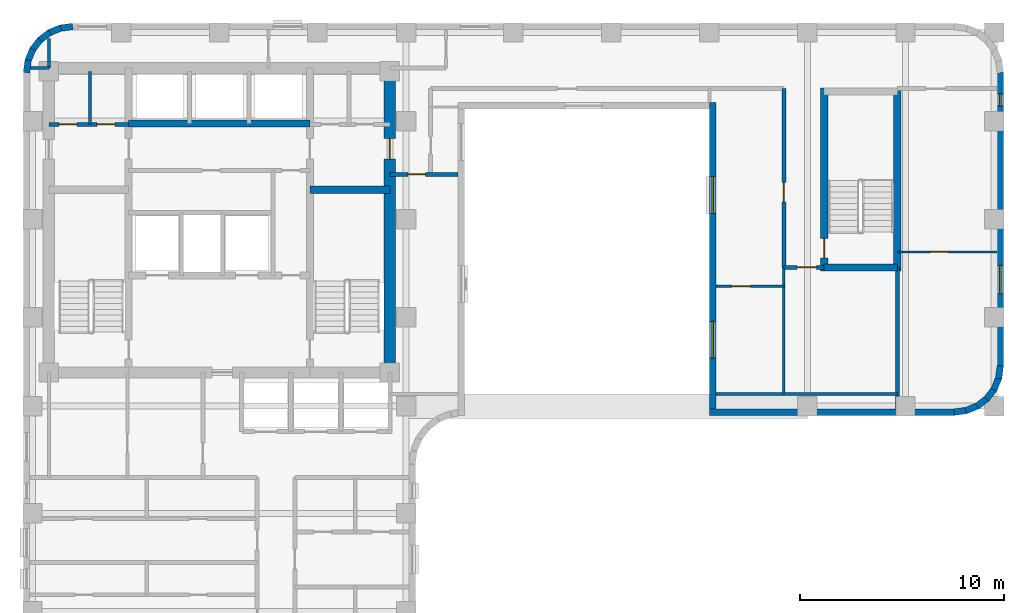
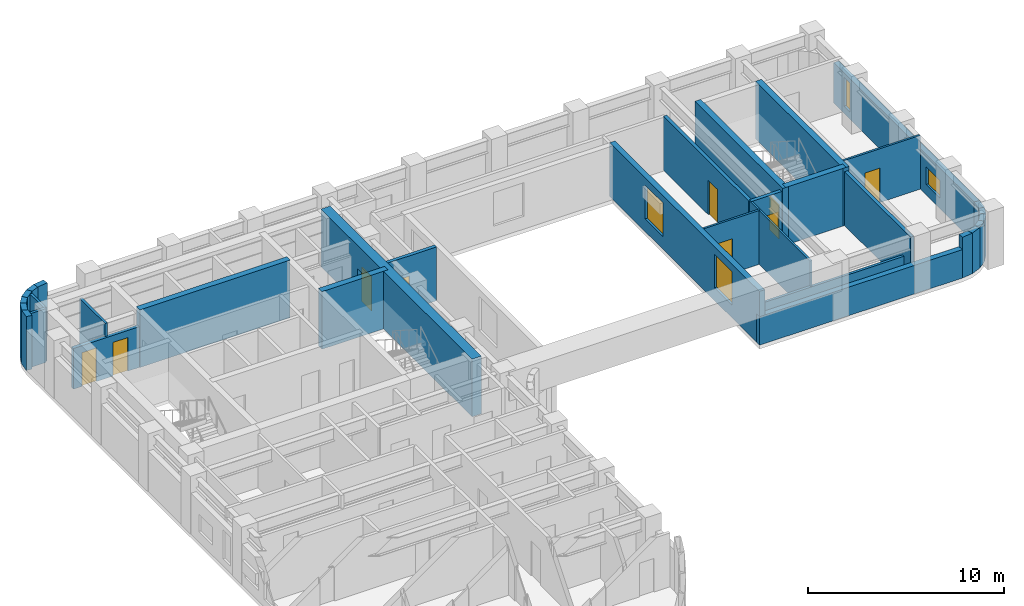
# One storey, part 5 of 8: 33 walls, 9 doors, 4 windows, 13 openings.
"""IFC4 building model written with IfcOpenShell, lengths in metres."""

from ifc_helpers import new_model, si_unit, direction, frame, frame_2d, origin, place, context, subcontext, project, spatial, rectangle, extrude, material, layer, layer_set, type_object, element, fill, save


model = new_model("IFC4")

# Units and contexts
model_context = context("Model", 3, precision=1e-05, world=origin(), true_north=direction((0.0, 1.0)))
body_context = subcontext(model_context, "Body", "Model", "MODEL_VIEW")
ifc_project = project(units=[si_unit("LENGTHUNIT", "METRE"), si_unit("AREAUNIT", "SQUARE_METRE"), si_unit("VOLUMEUNIT", "CUBIC_METRE"), si_unit("PLANEANGLEUNIT", "RADIAN"), si_unit("MASSUNIT", "GRAM", prefix="KILO")], contexts=[model_context])

# Site, building, storey
site_placement = place(None, origin())
site = spatial("IfcSite", under=ifc_project, at=site_placement, CompositionType="ELEMENT")
building_placement = place(site_placement, origin())
building = spatial("IfcBuilding", under=site, at=building_placement, Name="Orvandelia Arch Residences", CompositionType="ELEMENT")
storey_placement = place(building_placement, frame((0.0, 0.0, 107.199951171875)))
storey = spatial("IfcBuildingStorey", under=building, at=storey_placement, Name="L27", CompositionType="ELEMENT", Elevation=107.199951171875)

# Walls
ifc_material_1 = material(Name="Concrete C50/60", Category="concrete")
ifc_layer_1 = layer(ifc_material_1, 0.35009765625, Name="Concrete C50/60", Category="concrete")
ifc_layer_set_1 = layer_set([ifc_layer_1], Name="Concrete C50/60")
wall_type_1 = type_object("IfcWallType", Name="WL-CORE-350", PredefinedType="SHEAR", material=ifc_layer_set_1)
wall_1_placement = place(storey_placement, frame((18.840087890625, 39.85009765625, 0.0), z_axis=(0.0, 0.0, 1.0), x_axis=(1.0, 0.0, 0.0)))
element("IfcWall", 1, at=wall_1_placement, inside=storey, type_object=wall_type_1, Name="Core Shear Wall L27-HZ2", PredefinedType="SHEAR", context=body_context, shape_type="SweptSolid", body=[
    extrude(rectangle(XDim=3.909912109375, YDim=0.35009765625, at=frame_2d((1.955078125, 0.0))), origin(), (0.0, 0.0, 1.0), 3.60009765625),
])
wall_2_placement = place(storey_placement, frame((9.9599609375, 43.10009765625, 0.0), z_axis=(0.0, 0.0, 1.0), x_axis=(1.0, 0.0, 0.0)))
element("IfcWall", 2, at=wall_2_placement, inside=storey, type_object=wall_type_1, Name="Core Shear Wall L27-HZ4", PredefinedType="SHEAR", context=body_context, shape_type="SweptSolid", body=[
    extrude(rectangle(XDim=8.880126953125, YDim=0.35009765625, at=frame_2d((4.43994140625, 0.0))), origin(), (0.0, 0.0, 1.0), 3.60009765625),
])

# Wall, opening, door
wall_3_placement = place(storey_placement, frame((44.02001953125, 35.864990234375, 0.0), z_axis=(0.0, 0.0, 1.0), x_axis=(0.0, 1.0, 0.0)))
wall_3 = element("IfcWall", 3, at=wall_3_placement, inside=storey, type_object=wall_type_1, Name="East Stair Core Shear Wall L27-W", PredefinedType="SHEAR", context=body_context, shape_type="SweptSolid", body=[
    extrude(rectangle(XDim=8.969970703125, YDim=0.35009765625, at=frame_2d((4.48486328125, 0.0))), origin(), (0.0, 0.0, 1.0), 3.60009765625),
])
opening_1_placement = place(wall_3_placement, frame((0.64990234375, 0.0, 0.0)))
opening_1 = element("IfcOpeningElement", 4, at=opening_1_placement, cuts=wall_3, Name="Opening D7", PredefinedType="OPENING", context=body_context, shape_type="SweptSolid", body=[
    extrude(rectangle(XDim=0.949951171875, YDim=2.10009765625, at=frame_2d((0.47509765625, 1.050048828125))), frame((0.0, 0.18505859375, 0.0), z_axis=(0.0, -1.0, 0.0), x_axis=(1.0, 0.0, 0.0)), (0.0, 0.0, 1.0), 0.3701171875),
])
ifc_material_2 = material(Name="Pressurised Stairwell Fire Door")
door_type_1 = type_object("IfcDoorType", Name="DR-STAIR-950", OperationType="NOTDEFINED", PredefinedType="DOOR", material=ifc_material_2)
door_1_placement = place(opening_1_placement, origin())
door_1 = element("IfcDoor", 5, at=door_1_placement, inside=storey, type_object=door_type_1, Name="East Stairwell ST-3 Fire Door L27", OperationType="SINGLE_SWING_LEFT", OverallHeight=2.10009765625, OverallWidth=0.949951171875, PredefinedType="DOOR", context=body_context, shape_type="SweptSolid", body=[
    extrude(rectangle(XDim=0.949951171875, YDim=2.10009765625, at=frame_2d((0.47509765625, 1.050048828125))), frame((0.0, 0.02490234375, 0.0), z_axis=(0.0, -1.0, 0.0), x_axis=(1.0, 0.0, 0.0)), (0.0, 0.0, 1.0), 0.050048828125),
])
fill(opening_1, door_1)

# Walls
wall_4_placement = place(storey_placement, frame((47.60009765625, 35.864990234375, 0.0), z_axis=(0.0, 0.0, 1.0), x_axis=(0.0, 1.0, 0.0)))
element("IfcWall", 6, at=wall_4_placement, inside=storey, type_object=wall_type_1, Name="East Stair Core Shear Wall L27-E", PredefinedType="SHEAR", context=body_context, shape_type="SweptSolid", body=[
    extrude(rectangle(XDim=8.969970703125, YDim=0.35009765625, at=frame_2d((4.48486328125, 0.0))), origin(), (0.0, 0.0, 1.0), 3.60009765625),
])
wall_5_placement = place(storey_placement, frame((44.02001953125, 36.0400390625, 0.0), z_axis=(0.0, 0.0, 1.0), x_axis=(1.0, 0.0, 0.0)))
element("IfcWall", 7, at=wall_5_placement, inside=storey, type_object=wall_type_1, Name="East Stair Core Shear Wall L27-S", PredefinedType="SHEAR", context=body_context, shape_type="SweptSolid", body=[
    extrude(rectangle(XDim=3.580078125, YDim=0.35009765625, at=frame_2d((1.7900390625, 0.0))), origin(), (0.0, 0.0, 1.0), 3.60009765625),
])

# Wall, opening, door
ifc_material_3 = material(Name="Concrete C60/75", Category="concrete")
ifc_layer_2 = layer(ifc_material_3, 0.550048828125, Name="Concrete C60/75", Category="concrete")
ifc_layer_set_2 = layer_set([ifc_layer_2], Name="Concrete C60/75")
wall_type_2 = type_object("IfcWallType", Name="WL-CORE-550", PredefinedType="SHEAR", material=ifc_layer_set_2)
wall_6_placement = place(storey_placement, frame((22.75, 30.625, 0.0), z_axis=(0.0, 0.0, 1.0), x_axis=(0.0, 1.0, 0.0)))
wall_6 = element("IfcWall", 8, at=wall_6_placement, inside=storey, type_object=wall_type_2, Name="Core Shear Wall L27-E", PredefinedType="SHEAR", context=body_context, shape_type="SweptSolid", body=[
    extrude(rectangle(XDim=15.449951171875, YDim=0.550048828125, at=frame_2d((7.72509765625, 0.0))), origin(), (0.0, 0.0, 1.0), 3.60009765625),
])
opening_2_placement = place(wall_6_placement, frame((10.72509765625, 0.0, 0.0)))
opening_2 = element("IfcOpeningElement", 9, at=opening_2_placement, cuts=wall_6, Name="Opening D6", PredefinedType="OPENING", context=body_context, shape_type="SweptSolid", body=[
    extrude(rectangle(XDim=1.0, YDim=2.14990234375, at=frame_2d((0.5, 1.074951171875))), frame((0.0, 0.28515625, 0.0), z_axis=(0.0, -1.0, 0.0), x_axis=(1.0, 0.0, 0.0)), (0.0, 0.0, 1.0), 0.570068359375),
])
ifc_material_4 = material(Name="Smokeproof Painted Steel Fire Door", Category="steel")
door_type_2 = type_object("IfcDoorType", Name="DR-FD60-1000", OperationType="NOTDEFINED", PredefinedType="DOOR", material=ifc_material_4)
door_2_placement = place(opening_2_placement, origin())
door_2 = element("IfcDoor", 10, at=door_2_placement, inside=storey, type_object=door_type_2, Name="Core East Corridor Link Door L27", OperationType="SINGLE_SWING_LEFT", OverallHeight=2.14990234375, OverallWidth=1.0, PredefinedType="DOOR", context=body_context, shape_type="SweptSolid", body=[
    extrude(rectangle(XDim=1.0, YDim=2.14990234375, at=frame_2d((0.5, 1.074951171875))), frame((0.0, 0.02490234375, 0.0), z_axis=(0.0, -1.0, 0.0), x_axis=(1.0, 0.0, 0.0)), (0.0, 0.0, 1.0), 0.050048828125),
])
fill(opening_2, door_2)

ifc_material_5 = material(Name="Fire-Rated Corridor Partition")
ifc_layer_3 = layer(ifc_material_5, 0.199951171875, Name="Fire-Rated Corridor Partition")
ifc_layer_set_3 = layer_set([ifc_layer_3], Name="Fire-Rated Corridor Partition")
wall_type_3 = type_object("IfcWallType", Name="WL-CORR-200", PredefinedType="PARTITIONING", material=ifc_layer_set_3)
wall_7_placement = place(storey_placement, frame((22.75, 40.60009765625, 0.0), z_axis=(0.0, 0.0, 1.0), x_axis=(1.0, 0.0, 0.0)))
wall_7 = element("IfcWall", 11, at=wall_7_placement, inside=storey, type_object=wall_type_3, Name="Interior Partition Wall WL-L27-ENP-LS", PredefinedType="PARTITIONING", context=body_context, shape_type="SweptSolid", body=[
    extrude(rectangle(XDim=3.330078125, YDim=0.199951171875, at=frame_2d((1.6650390625, 0.0))), origin(), (0.0, 0.0, 1.0), 3.360107421875),
])
opening_3_placement = place(wall_7_placement, frame((0.8798828125, 0.0, 0.0)))
opening_3 = element("IfcOpeningElement", 12, at=opening_3_placement, cuts=wall_7, Name="Opening D4", PredefinedType="OPENING", context=body_context, shape_type="SweptSolid", body=[
    extrude(rectangle(XDim=0.860107421875, YDim=2.10009765625, at=frame_2d((0.43017578125, 1.050048828125))), frame((0.0, 0.10986328125, 0.0), z_axis=(0.0, -1.0, 0.0), x_axis=(1.0, 0.0, 0.0)), (0.0, 0.0, 1.0), 0.219970703125),
])
ifc_material_6 = material(Name="Moisture-Sealed Timber Bathroom Door", Category="wood")
door_type_3 = type_object("IfcDoorType", Name="DR-WET-900", OperationType="NOTDEFINED", PredefinedType="DOOR", material=ifc_material_6)
door_3_placement = place(opening_3_placement, origin())
door_3 = element("IfcDoor", 13, at=door_3_placement, inside=storey, type_object=door_type_3, Name="DR-L27-VPWL", OperationType="SINGLE_SWING_RIGHT", OverallHeight=2.10009765625, OverallWidth=0.860107421875, PredefinedType="DOOR", context=body_context, shape_type="SweptSolid", body=[
    extrude(rectangle(XDim=0.860107421875, YDim=2.10009765625, at=frame_2d((0.43017578125, 1.050048828125))), frame((0.0, 0.02490234375, 0.0), z_axis=(0.0, -1.0, 0.0), x_axis=(1.0, 0.0, 0.0)), (0.0, 0.0, 1.0), 0.050048828125),
])
fill(opening_3, door_3)

wall_8_placement = place(storey_placement, frame((42.050048828125, 36.050048828125, 0.0), z_axis=(0.0, 0.0, 1.0), x_axis=(0.0, 1.0, 0.0)))
wall_8 = element("IfcWall", 14, at=wall_8_placement, inside=storey, type_object=wall_type_3, Name="Interior Partition Wall WL-L27-ENP-SW", PredefinedType="PARTITIONING", context=body_context, shape_type="SweptSolid", body=[
    extrude(rectangle(XDim=8.75, YDim=0.199951171875, at=frame_2d((4.375, 0.0))), origin(), (0.0, 0.0, 1.0), 3.360107421875),
])
opening_4_placement = place(wall_8_placement, frame((3.199951171875, 0.0, 0.0)))
opening_4 = element("IfcOpeningElement", 15, at=opening_4_placement, cuts=wall_8, Name="Opening D2", PredefinedType="OPENING", context=body_context, shape_type="SweptSolid", body=[
    extrude(rectangle(XDim=0.949951171875, YDim=2.14990234375, at=frame_2d((0.47509765625, 1.074951171875))), frame((0.0, 0.10986328125, 0.0), z_axis=(0.0, -1.0, 0.0), x_axis=(1.0, 0.0, 0.0)), (0.0, 0.0, 1.0), 0.219970703125),
])
ifc_material_7 = material(Name="Solid-Core Timber Interior Fire Door", Category="wood")
door_type_4 = type_object("IfcDoorType", Name="DR-APT-950", OperationType="NOTDEFINED", PredefinedType="DOOR", material=ifc_material_7)
door_4_placement = place(opening_4_placement, origin())
door_4 = element("IfcDoor", 16, at=door_4_placement, inside=storey, type_object=door_type_4, Name="DR-L27-VPE1", OperationType="SINGLE_SWING_RIGHT", OverallHeight=2.14990234375, OverallWidth=0.949951171875, PredefinedType="DOOR", context=body_context, shape_type="SweptSolid", body=[
    extrude(rectangle(XDim=0.949951171875, YDim=2.14990234375, at=frame_2d((0.47509765625, 1.074951171875))), frame((0.0, 0.02490234375, 0.0), z_axis=(0.0, -1.0, 0.0), x_axis=(1.0, 0.0, 0.0)), (0.0, 0.0, 1.0), 0.050048828125),
])
fill(opening_4, door_4)

wall_9_placement = place(storey_placement, frame((42.050048828125, 36.050048828125, 0.0), z_axis=(0.0, 0.0, 1.0), x_axis=(1.0, 0.0, 0.0)))
wall_9 = element("IfcWall", 17, at=wall_9_placement, inside=storey, type_object=wall_type_3, Name="Interior Partition Wall WL-L27-ENP-SS", PredefinedType="PARTITIONING", context=body_context, shape_type="SweptSolid", body=[
    extrude(rectangle(XDim=1.969970703125, YDim=0.199951171875, at=frame_2d((0.98486328125, 0.0))), origin(), (0.0, 0.0, 1.0), 3.360107421875),
])
opening_5_placement = place(wall_9_placement, frame((0.64990234375, 0.0, 0.0)))
opening_5 = element("IfcOpeningElement", 18, at=opening_5_placement, cuts=wall_9, Name="Opening D2", PredefinedType="OPENING", context=body_context, shape_type="SweptSolid", body=[
    extrude(rectangle(XDim=0.949951171875, YDim=2.14990234375, at=frame_2d((0.47509765625, 1.074951171875))), frame((0.0, 0.10986328125, 0.0), z_axis=(0.0, -1.0, 0.0), x_axis=(1.0, 0.0, 0.0)), (0.0, 0.0, 1.0), 0.219970703125),
])
door_5_placement = place(opening_5_placement, origin())
door_5 = element("IfcDoor", 19, at=door_5_placement, inside=storey, type_object=door_type_4, Name="DR-L27-VPS3", OperationType="SINGLE_SWING_LEFT", OverallHeight=2.14990234375, OverallWidth=0.949951171875, PredefinedType="DOOR", context=body_context, shape_type="SweptSolid", body=[
    extrude(rectangle(XDim=0.949951171875, YDim=2.14990234375, at=frame_2d((0.47509765625, 1.074951171875))), frame((0.0, 0.02490234375, 0.0), z_axis=(0.0, -1.0, 0.0), x_axis=(1.0, 0.0, 0.0)), (0.0, 0.0, 1.0), 0.050048828125),
])
fill(opening_5, door_5)

# Walls
ifc_material_8 = material(Name="Concrete C40/50", Category="concrete")
ifc_layer_4 = layer(ifc_material_8, 0.199951171875, Name="Concrete C40/50", Category="concrete")
ifc_layer_set_4 = layer_set([ifc_layer_4], Name="Concrete C40/50")
wall_type_4 = type_object("IfcWallType", Name="WL-DEM-200", PredefinedType="SOLIDWALL", material=ifc_layer_set_4)
wall_10_placement = place(storey_placement, frame((47.60009765625, 29.1201171875, 0.0), z_axis=(0.0, 0.0, 1.0), x_axis=(0.0, 1.0, 0.0)))
element("IfcWall", 20, at=wall_10_placement, inside=storey, type_object=wall_type_4, Name="Interior Partition Wall WL-L27-VPS3-E", PredefinedType="SOLIDWALL", context=body_context, shape_type="SweptSolid", body=[
    extrude(rectangle(XDim=6.919921875, YDim=0.199951171875, at=frame_2d((3.4599609375, 0.0))), origin(), (0.0, 0.0, 1.0), 3.360107421875),
])
ifc_material_9 = material(Name="Precast concrete C40/50", Category="concrete")
ifc_layer_5 = layer(ifc_material_9, 0.320068359375, Name="Precast concrete C40/50", Category="concrete")
ifc_layer_set_5 = layer_set([ifc_layer_5], Name="Precast concrete C40/50")
wall_type_5 = type_object("IfcWallType", Name="WL-EXT-STONE-320", PredefinedType="STANDARD", material=ifc_layer_set_5)
for number, where, z_axis, x_axis, name in (
    (21, (4.95849609375, 45.5791015625, 0.0), (0.0, 0.0, 1.0), (0.130555323746, 0.9914410257, 0.0), "Coral-Limestone Precast Facade Wall L27-001"),
    (22, (5.029541015625, 46.159912109375, 0.0), (0.0, 0.0, 1.0), (0.382650053678, 0.92389335771, 0.0), "Coral-Limestone Precast Facade Wall L27-002"),
):
    element("IfcWall", number, at=place(storey_placement, frame(where, z_axis=z_axis, x_axis=x_axis)), inside=storey, type_object=wall_type_5, Name=name, PredefinedType="STANDARD", context=body_context, shape_type="SweptSolid", body=[
        extrude(rectangle(XDim=0.62646484375, YDim=0.320068359375, at=frame_2d((0.313232421875, 0.0))), origin(), (0.0, 0.0, 1.0), 3.360107421875),
    ])
wall_11_placement = place(storey_placement, frame((5.248291015625, 46.70263671875, 0.0), z_axis=(0.0, 0.0, 1.0), x_axis=(0.608938521285, 0.7932174212, 0.0)))
element("IfcWall", 23, at=wall_11_placement, inside=storey, type_object=wall_type_5, Name="Coral-Limestone Precast Facade Wall L27-003", PredefinedType="STANDARD", context=body_context, shape_type="SweptSolid", body=[
    extrude(rectangle(XDim=0.626708984375, YDim=0.320068359375, at=frame_2d((0.3134765625, 0.0))), origin(), (0.0, 0.0, 1.0), 3.360107421875),
])
wall_12_placement = place(storey_placement, frame((5.600341796875, 47.170166015625, 0.0), z_axis=(0.0, 0.0, 1.0), x_axis=(0.793405610854, 0.608693302629, 0.0)))
element("IfcWall", 24, at=wall_12_placement, inside=storey, type_object=wall_type_5, Name="Coral-Limestone Precast Facade Wall L27-004", PredefinedType="STANDARD", context=body_context, shape_type="SweptSolid", body=[
    extrude(rectangle(XDim=0.62646484375, YDim=0.320068359375, at=frame_2d((0.313232421875, 0.0))), origin(), (0.0, 0.0, 1.0), 3.360107421875),
])
wall_13_placement = place(storey_placement, frame((6.061279296875, 47.53076171875, 0.0), z_axis=(0.0, 0.0, 1.0), x_axis=(0.923836271867, 0.382787856107, 0.0)))
element("IfcWall", 25, at=wall_13_placement, inside=storey, type_object=wall_type_5, Name="Coral-Limestone Precast Facade Wall L27-005", PredefinedType="STANDARD", context=body_context, shape_type="SweptSolid", body=[
    extrude(rectangle(XDim=0.626220703125, YDim=0.320068359375, at=frame_2d((0.31298828125, 0.0))), origin(), (0.0, 0.0, 1.0), 3.360107421875),
])
wall_14_placement = place(storey_placement, frame((6.599609375, 47.759521484375, 0.0), z_axis=(0.0, 0.0, 1.0), x_axis=(0.991447664465, 0.130504898859, 0.0)))
element("IfcWall", 26, at=wall_14_placement, inside=storey, type_object=wall_type_5, Name="Coral-Limestone Precast Facade Wall L27-006", PredefinedType="STANDARD", context=body_context, shape_type="SweptSolid", body=[
    extrude(rectangle(XDim=0.626708984375, YDim=0.320068359375, at=frame_2d((0.3134765625, 0.0))), origin(), (0.0, 0.0, 1.0), 3.360107421875),
])

# Wall, openings, windows
wall_15_placement = place(storey_placement, frame((52.639892578125, 45.60009765625, 0.0), z_axis=(0.0, 0.0, 1.0), x_axis=(0.0, -1.0, 0.0)))
wall_15 = element("IfcWall", 27, at=wall_15_placement, inside=storey, type_object=wall_type_5, Name="Coral-Limestone Precast Facade Wall L27-014", PredefinedType="STANDARD", context=body_context, shape_type="SweptSolid", body=[
    extrude(rectangle(XDim=14.400146484375, YDim=0.320068359375, at=frame_2d((7.2001953125, 0.0))), origin(), (0.0, 0.0, 1.0), 2.5400390625),
])
opening_6_placement = place(wall_15_placement, frame((1.0625, 0.0, 0.449951171875)))
opening_6 = element("IfcOpeningElement", 28, at=opening_6_placement, cuts=wall_15, Name="Opening W12", PredefinedType="OPENING", context=body_context, shape_type="SweptSolid", body=[
    extrude(rectangle(XDim=0.60009765625, YDim=1.800048828125, at=frame_2d((0.300048828125, 0.89990234375))), frame((0.0, 0.169921875, 0.0), z_axis=(0.0, -1.0, 0.0), x_axis=(1.0, 0.0, 0.0)), (0.0, 0.0, 1.0), 0.340087890625),
])
opening_7_placement = place(wall_15_placement, frame((9.452392578125, 0.0, 0.64990234375)))
opening_7 = element("IfcOpeningElement", 29, at=opening_7_placement, cuts=wall_15, Name="Opening W10", PredefinedType="OPENING", context=body_context, shape_type="SweptSolid", body=[
    extrude(rectangle(XDim=1.39990234375, YDim=1.10009765625, at=frame_2d((0.699951171875, 0.550048828125))), frame((0.0, 0.169921875, 0.0), z_axis=(0.0, -1.0, 0.0), x_axis=(1.0, 0.0, 0.0)), (0.0, 0.0, 1.0), 0.340087890625),
])
ifc_material_10 = material(Name="Tempered Low-E Insulated Glazing", Category="glass")
window_type_1 = type_object("IfcWindowType", Name="WIN-CLR-1400x1100", PartitioningType="SINGLE_PANEL", PredefinedType="WINDOW", material=ifc_material_10)
window_1_placement = place(opening_7_placement, origin())
window_1 = element("IfcWindow", 30, at=window_1_placement, inside=storey, type_object=window_type_1, Name="Recessed Punched Window L27-005", OverallHeight=1.10009765625, OverallWidth=1.39990234375, PartitioningType="SINGLE_PANEL", PredefinedType="WINDOW", context=body_context, shape_type="SweptSolid", body=[
    extrude(rectangle(XDim=1.39990234375, YDim=1.10009765625, at=frame_2d((0.699951171875, 0.550048828125))), frame((0.0, 0.030029296875, 0.0), z_axis=(0.0, -1.0, 0.0), x_axis=(1.0, 0.0, 0.0)), (0.0, 0.0, 1.0), 0.06005859375),
])
fill(opening_7, window_1)
window_type_2 = type_object("IfcWindowType", Name="WIN-LAN-0600x1800", PartitioningType="SINGLE_PANEL", PredefinedType="WINDOW", material=ifc_material_10)
window_2_placement = place(opening_6_placement, origin())
window_2 = element("IfcWindow", 31, at=window_2_placement, inside=storey, type_object=window_type_2, Name="Recessed Punched Window L27-004", OverallHeight=1.800048828125, OverallWidth=0.60009765625, PartitioningType="SINGLE_PANEL", PredefinedType="WINDOW", context=body_context, shape_type="SweptSolid", body=[
    extrude(rectangle(XDim=0.60009765625, YDim=1.800048828125, at=frame_2d((0.300048828125, 0.89990234375))), frame((0.0, 0.030029296875, 0.0), z_axis=(0.0, -1.0, 0.0), x_axis=(1.0, 0.0, 0.0)), (0.0, 0.0, 1.0), 0.06005859375),
])
fill(opening_6, window_2)

# Walls
wall_16_placement = place(storey_placement, frame((52.641357421875, 31.220947265625, 0.0), z_axis=(0.0, 0.0, 1.0), x_axis=(-0.130504898859, -0.991447664465, 0.0)))
element("IfcWall", 32, at=wall_16_placement, inside=storey, type_object=wall_type_5, Name="Coral-Limestone Precast Facade Wall L27-015", PredefinedType="STANDARD", context=body_context, shape_type="SweptSolid", body=[
    extrude(rectangle(XDim=0.626708984375, YDim=0.320068359375, at=frame_2d((0.3134765625, 0.0))), origin(), (0.0, 0.0, 1.0), 2.5400390625),
])
wall_17_placement = place(storey_placement, frame((52.5703125, 30.639892578125, 0.0), z_axis=(0.0, 0.0, 1.0), x_axis=(-0.382455093999, -0.923974080304, 0.0)))
element("IfcWall", 33, at=wall_17_placement, inside=storey, type_object=wall_type_5, Name="Coral-Limestone Precast Facade Wall L27-016", PredefinedType="STANDARD", context=body_context, shape_type="SweptSolid", body=[
    extrude(rectangle(XDim=0.626220703125, YDim=0.320068359375, at=frame_2d((0.31298828125, 0.0))), origin(), (0.0, 0.0, 1.0), 2.5400390625),
])
wall_18_placement = place(storey_placement, frame((52.3515625, 30.097412109375, 0.0), z_axis=(0.0, 0.0, 1.0), x_axis=(-0.608693302629, -0.793405610854, 0.0)))
element("IfcWall", 34, at=wall_18_placement, inside=storey, type_object=wall_type_5, Name="Coral-Limestone Precast Facade Wall L27-017", PredefinedType="STANDARD", context=body_context, shape_type="SweptSolid", body=[
    extrude(rectangle(XDim=0.62646484375, YDim=0.320068359375, at=frame_2d((0.313232421875, 0.0))), origin(), (0.0, 0.0, 1.0), 2.5400390625),
])
wall_19_placement = place(storey_placement, frame((51.999755859375, 29.6298828125, 0.0), z_axis=(0.0, 0.0, 1.0), x_axis=(-0.7932174212, -0.608938521285, 0.0)))
element("IfcWall", 35, at=wall_19_placement, inside=storey, type_object=wall_type_5, Name="Coral-Limestone Precast Facade Wall L27-018", PredefinedType="STANDARD", context=body_context, shape_type="SweptSolid", body=[
    extrude(rectangle(XDim=0.626708984375, YDim=0.320068359375, at=frame_2d((0.3134765625, 0.0))), origin(), (0.0, 0.0, 1.0), 2.5400390625),
])
for number, where, z_axis, x_axis, name in (
    (36, (51.538818359375, 29.269287109375, 0.0), (0.0, 0.0, 1.0), (-0.92389335771, -0.382650053678, 0.0), "Coral-Limestone Precast Facade Wall L27-019"),
    (37, (51.000244140625, 29.040283203125, 0.0), (0.0, 0.0, 1.0), (-0.9914410257, -0.130555323746, 0.0), "Coral-Limestone Precast Facade Wall L27-020"),
):
    element("IfcWall", number, at=place(storey_placement, frame(where, z_axis=z_axis, x_axis=x_axis)), inside=storey, type_object=wall_type_5, Name=name, PredefinedType="STANDARD", context=body_context, shape_type="SweptSolid", body=[
        extrude(rectangle(XDim=0.62646484375, YDim=0.320068359375, at=frame_2d((0.313232421875, 0.0))), origin(), (0.0, 0.0, 1.0), 2.5400390625),
    ])
wall_20_placement = place(storey_placement, frame((50.39990234375, 28.9599609375, 0.0), z_axis=(0.0, 0.0, 1.0), x_axis=(-1.0, 0.0, 0.0)))
element("IfcWall", 38, at=wall_20_placement, inside=storey, type_object=wall_type_5, Name="Coral-Limestone Precast Facade Wall L27-021", PredefinedType="STANDARD", context=body_context, shape_type="SweptSolid", body=[
    extrude(rectangle(XDim=12.0, YDim=0.320068359375, at=frame_2d((6.0, 0.0))), origin(), (0.0, 0.0, 1.0), 1.780029296875),
])

# Wall, openings, windows
wall_21_placement = place(storey_placement, frame((38.56005859375, 28.800048828125, 0.0), z_axis=(0.0, 0.0, 1.0), x_axis=(0.0, 1.0, 0.0)))
wall_21 = element("IfcWall", 39, at=wall_21_placement, inside=storey, type_object=wall_type_5, Name="Coral-Limestone Precast Facade Wall L27-022", PredefinedType="STANDARD", context=body_context, shape_type="SweptSolid", body=[
    extrude(rectangle(XDim=15.320068359375, YDim=0.320068359375, at=frame_2d((7.66015625, 0.0))), origin(), (0.0, 0.0, 1.0), 3.360107421875),
])
opening_8_placement = place(wall_21_placement, frame((9.889892578125, 0.0, 0.800048828125)))
opening_8 = element("IfcOpeningElement", 40, at=opening_8_placement, cuts=wall_21, Name="Opening W1", PredefinedType="OPENING", context=body_context, shape_type="SweptSolid", body=[
    extrude(rectangle(XDim=1.800048828125, YDim=2.10009765625, at=frame_2d((0.89990234375, 1.050048828125))), frame((0.0, 0.169921875, 0.0), z_axis=(0.0, -1.0, 0.0), x_axis=(1.0, 0.0, 0.0)), (0.0, 0.0, 1.0), 0.340087890625),
])
opening_9_placement = place(wall_21_placement, frame((2.804931640625, 0.0, 0.800048828125)))
opening_9 = element("IfcOpeningElement", 41, at=opening_9_placement, cuts=wall_21, Name="Opening W1", PredefinedType="OPENING", context=body_context, shape_type="SweptSolid", body=[
    extrude(rectangle(XDim=1.800048828125, YDim=2.10009765625, at=frame_2d((0.89990234375, 1.050048828125))), frame((0.0, 0.169921875, 0.0), z_axis=(0.0, -1.0, 0.0), x_axis=(1.0, 0.0, 0.0)), (0.0, 0.0, 1.0), 0.340087890625),
])
window_type_3 = type_object("IfcWindowType", Name="WIN-RES-1800x2100", PartitioningType="SINGLE_PANEL", PredefinedType="WINDOW", material=ifc_material_10)
window_3_placement = place(opening_8_placement, origin())
window_3 = element("IfcWindow", 42, at=window_3_placement, inside=storey, type_object=window_type_3, Name="Recessed Punched Window L27-006", OverallHeight=2.10009765625, OverallWidth=1.800048828125, PartitioningType="SINGLE_PANEL", PredefinedType="WINDOW", context=body_context, shape_type="SweptSolid", body=[
    extrude(rectangle(XDim=1.800048828125, YDim=2.10009765625, at=frame_2d((0.89990234375, 1.050048828125))), frame((0.0, 0.030029296875, 0.0), z_axis=(0.0, -1.0, 0.0), x_axis=(1.0, 0.0, 0.0)), (0.0, 0.0, 1.0), 0.06005859375),
])
fill(opening_8, window_3)
window_4_placement = place(opening_9_placement, origin())
window_4 = element("IfcWindow", 43, at=window_4_placement, inside=storey, type_object=window_type_3, Name="Recessed Punched Window L27-007", OverallHeight=2.10009765625, OverallWidth=1.800048828125, PartitioningType="SINGLE_PANEL", PredefinedType="WINDOW", context=body_context, shape_type="SweptSolid", body=[
    extrude(rectangle(XDim=1.800048828125, YDim=2.10009765625, at=frame_2d((0.89990234375, 1.050048828125))), frame((0.0, 0.030029296875, 0.0), z_axis=(0.0, -1.0, 0.0), x_axis=(1.0, 0.0, 0.0)), (0.0, 0.0, 1.0), 0.06005859375),
])
fill(opening_9, window_4)

# Wall, opening, door
ifc_material_11 = material(Name="Lightweight Gypsum Stud Partition")
ifc_layer_6 = layer(ifc_material_11, 0.1201171875, Name="Lightweight Gypsum Stud Partition")
ifc_layer_set_6 = layer_set([ifc_layer_6], Name="Lightweight Gypsum Stud Partition")
wall_type_6 = type_object("IfcWallType", Name="WL-PART-120", PredefinedType="PARTITIONING", material=ifc_layer_set_6)
wall_22_placement = place(storey_placement, frame((38.719970703125, 35.1201171875, 0.0), z_axis=(0.0, 0.0, 1.0), x_axis=(1.0, 0.0, 0.0)))
wall_22 = element("IfcWall", 44, at=wall_22_placement, inside=storey, type_object=wall_type_6, Name="Interior Partition Wall WL-L27-VPE-M", PredefinedType="PARTITIONING", context=body_context, shape_type="SweptSolid", body=[
    extrude(rectangle(XDim=3.330078125, YDim=0.1201171875, at=frame_2d((1.6650390625, 0.0))), origin(), (0.0, 0.0, 1.0), 3.360107421875),
])
opening_10_placement = place(wall_22_placement, frame((0.7900390625, 0.0, 0.0)))
opening_10 = element("IfcOpeningElement", 45, at=opening_10_placement, cuts=wall_22, Name="Opening D3", PredefinedType="OPENING", context=body_context, shape_type="SweptSolid", body=[
    extrude(rectangle(XDim=0.89990234375, YDim=2.14990234375, at=frame_2d((0.449951171875, 1.074951171875))), frame((0.0, 0.070068359375, 0.0), z_axis=(0.0, -1.0, 0.0), x_axis=(1.0, 0.0, 0.0)), (0.0, 0.0, 1.0), 0.14013671875),
])
ifc_material_12 = material(Name="Engineered Timber Flush Door", Category="wood")
door_type_5 = type_object("IfcDoorType", Name="DR-INT-900", OperationType="NOTDEFINED", PredefinedType="DOOR", material=ifc_material_12)
door_6_placement = place(opening_10_placement, origin())
door_6 = element("IfcDoor", 46, at=door_6_placement, inside=storey, type_object=door_type_5, Name="DR-L27-VPE2", OperationType="SINGLE_SWING_RIGHT", OverallHeight=2.14990234375, OverallWidth=0.89990234375, PredefinedType="DOOR", context=body_context, shape_type="SweptSolid", body=[
    extrude(rectangle(XDim=0.89990234375, YDim=2.14990234375, at=frame_2d((0.449951171875, 1.074951171875))), frame((0.0, 0.02490234375, 0.0), z_axis=(0.0, -1.0, 0.0), x_axis=(1.0, 0.0, 0.0)), (0.0, 0.0, 1.0), 0.050048828125),
])
fill(opening_10, door_6)

# Wall
wall_23_placement = place(storey_placement, frame((42.050048828125, 29.85009765625, 0.0), z_axis=(0.0, 0.0, 1.0), x_axis=(0.0, 1.0, 0.0)))
element("IfcWall", 47, at=wall_23_placement, inside=storey, type_object=wall_type_6, Name="Interior Partition Wall WL-L27-VPS3-W", PredefinedType="PARTITIONING", context=body_context, shape_type="SweptSolid", body=[
    extrude(rectangle(XDim=6.199951171875, YDim=0.1201171875, at=frame_2d((3.10009765625, 0.0))), origin(), (0.0, 0.0, 1.0), 3.360107421875),
])

# Wall, opening, door
wall_24_placement = place(storey_placement, frame((47.60009765625, 36.800048828125, 0.0), z_axis=(0.0, 0.0, 1.0), x_axis=(1.0, 0.0, 0.0)))
wall_24 = element("IfcWall", 48, at=wall_24_placement, inside=storey, type_object=wall_type_6, Name="Interior Partition Wall WL-L27-VPET-M", PredefinedType="PARTITIONING", context=body_context, shape_type="SweptSolid", body=[
    extrude(rectangle(XDim=4.8798828125, YDim=0.1201171875, at=frame_2d((2.43994140625, 0.0))), origin(), (0.0, 0.0, 1.0), 3.360107421875),
])
opening_11_placement = place(wall_24_placement, frame((1.60009765625, 0.0, 0.0)))
opening_11 = element("IfcOpeningElement", 49, at=opening_11_placement, cuts=wall_24, Name="Opening D3", PredefinedType="OPENING", context=body_context, shape_type="SweptSolid", body=[
    extrude(rectangle(XDim=0.89990234375, YDim=2.14990234375, at=frame_2d((0.449951171875, 1.074951171875))), frame((0.0, 0.070068359375, 0.0), z_axis=(0.0, -1.0, 0.0), x_axis=(1.0, 0.0, 0.0)), (0.0, 0.0, 1.0), 0.14013671875),
])
door_7_placement = place(opening_11_placement, origin())
door_7 = element("IfcDoor", 50, at=door_7_placement, inside=storey, type_object=door_type_5, Name="DR-L27-VPET2", OperationType="SINGLE_SWING_RIGHT", OverallHeight=2.14990234375, OverallWidth=0.89990234375, PredefinedType="DOOR", context=body_context, shape_type="SweptSolid", body=[
    extrude(rectangle(XDim=0.89990234375, YDim=2.14990234375, at=frame_2d((0.449951171875, 1.074951171875))), frame((0.0, 0.02490234375, 0.0), z_axis=(0.0, -1.0, 0.0), x_axis=(1.0, 0.0, 0.0)), (0.0, 0.0, 1.0), 0.050048828125),
])
fill(opening_11, door_7)

# Walls
ifc_material_13 = material(Name="Acoustic Gypsum Stud Partition")
ifc_layer_7 = layer(ifc_material_13, 0.14990234375, Name="Acoustic Gypsum Stud Partition")
ifc_layer_set_7 = layer_set([ifc_layer_7], Name="Acoustic Gypsum Stud Partition")
wall_type_7 = type_object("IfcWallType", Name="WL-PART-150", PredefinedType="PARTITIONING", material=ifc_layer_set_7)
wall_25_placement = place(storey_placement, frame((8.06005859375, 43.050048828125, 0.0), z_axis=(0.0, 0.0, 1.0), x_axis=(0.0, 1.0, 0.0)))
element("IfcWall", 51, at=wall_25_placement, inside=storey, type_object=wall_type_7, Name="Interior Partition Wall WL-L27-CRELC-M", PredefinedType="PARTITIONING", context=body_context, shape_type="SweptSolid", body=[
    extrude(rectangle(XDim=2.599853515625, YDim=0.14990234375, at=frame_2d((1.2998046875, 0.0))), origin(), (0.0, 0.0, 1.0), 3.360107421875),
])
wall_26_placement = place(storey_placement, frame((5.159912109375, 45.800048828125, 0.0), z_axis=(0.0, 0.0, 1.0), x_axis=(1.0, 0.0, 0.0)))
element("IfcWall", 52, at=wall_26_placement, inside=storey, type_object=wall_type_7, Name="Interior Partition Wall WL-L27-WF-N", PredefinedType="PARTITIONING", context=body_context, shape_type="SweptSolid", body=[
    extrude(rectangle(XDim=0.89013671875, YDim=0.14990234375, at=frame_2d((0.445068359375, 0.0))), origin(), (0.0, 0.0, 1.0), 3.360107421875),
])
wall_27_placement = place(storey_placement, frame((6.050048828125, 45.800048828125, 0.0), z_axis=(0.0, 0.0, 1.0), x_axis=(0.0, 1.0, 0.0)))
element("IfcWall", 53, at=wall_27_placement, inside=storey, type_object=wall_type_7, Name="Interior Partition Wall WL-L27-NC-W6", PredefinedType="PARTITIONING", context=body_context, shape_type="SweptSolid", body=[
    extrude(rectangle(XDim=1.4599609375, YDim=0.14990234375, at=frame_2d((0.72998046875, 0.0))), origin(), (0.0, 0.0, 1.0), 3.360107421875),
])
wall_28_placement = place(storey_placement, frame((38.719970703125, 29.85009765625, 0.0), z_axis=(0.0, 0.0, 1.0), x_axis=(1.0, 0.0, 0.0)))
element("IfcWall", 54, at=wall_28_placement, inside=storey, type_object=wall_type_7, Name="Interior Partition Wall WL-L27-TRUSS-SE", PredefinedType="PARTITIONING", context=body_context, shape_type="SweptSolid", body=[
    extrude(rectangle(XDim=8.880126953125, YDim=0.14990234375, at=frame_2d((4.43994140625, 0.0))), origin(), (0.0, 0.0, 1.0), 1.780029296875),
])

# Wall, openings, doors
ifc_material_14 = material(Name="Fire-Rated Shaft Enclosure Wall")
ifc_layer_8 = layer(ifc_material_14, 0.199951171875, Name="Fire-Rated Shaft Enclosure Wall")
ifc_layer_set_8 = layer_set([ifc_layer_8], Name="Fire-Rated Shaft Enclosure Wall")
wall_type_8 = type_object("IfcWallType", Name="WL-SHAFT-200", PredefinedType="POLYGONAL", material=ifc_layer_set_8)
wall_29_placement = place(storey_placement, frame((6.050048828125, 43.050048828125, 0.0), z_axis=(0.0, 0.0, 1.0), x_axis=(1.0, 0.0, 0.0)))
wall_29 = element("IfcWall", 55, at=wall_29_placement, inside=storey, type_object=wall_type_8, Name="Interior Partition Wall WL-L27-HLW-N", PredefinedType="POLYGONAL", context=body_context, shape_type="SweptSolid", body=[
    extrude(rectangle(XDim=3.909912109375, YDim=0.199951171875, at=frame_2d((1.955078125, 0.0))), origin(), (0.0, 0.0, 1.0), 2.5400390625),
])
opening_12_placement = place(wall_29_placement, frame((0.5, 0.0, 0.0)))
opening_12 = element("IfcOpeningElement", 56, at=opening_12_placement, cuts=wall_29, Name="Opening D5", PredefinedType="OPENING", context=body_context, shape_type="SweptSolid", body=[
    extrude(rectangle(XDim=0.8798828125, YDim=2.10009765625, at=frame_2d((0.43994140625, 1.050048828125))), frame((0.0, 0.10986328125, 0.0), z_axis=(0.0, -1.0, 0.0), x_axis=(1.0, 0.0, 0.0)), (0.0, 0.0, 1.0), 0.219970703125),
])
opening_13_placement = place(wall_29_placement, frame((2.35009765625, 0.0, 0.0)))
opening_13 = element("IfcOpeningElement", 57, at=opening_13_placement, cuts=wall_29, Name="Opening D5", PredefinedType="OPENING", context=body_context, shape_type="SweptSolid", body=[
    extrude(rectangle(XDim=0.8798828125, YDim=2.10009765625, at=frame_2d((0.43994140625, 1.050048828125))), frame((0.0, 0.10986328125, 0.0), z_axis=(0.0, -1.0, 0.0), x_axis=(1.0, 0.0, 0.0)), (0.0, 0.0, 1.0), 0.219970703125),
])
ifc_material_15 = material(Name="Painted Galvanised Steel Service Door", Category="steel")
door_type_6 = type_object("IfcDoorType", Name="DR-SRV-880", OperationType="NOTDEFINED", PredefinedType="DOOR", material=ifc_material_15)
door_8_placement = place(opening_12_placement, origin())
door_8 = element("IfcDoor", 58, at=door_8_placement, inside=storey, type_object=door_type_6, Name="DR-L27-CRELC1", OperationType="SINGLE_SWING_LEFT", OverallHeight=2.10009765625, OverallWidth=0.8798828125, PredefinedType="DOOR", context=body_context, shape_type="SweptSolid", body=[
    extrude(rectangle(XDim=0.8798828125, YDim=2.10009765625, at=frame_2d((0.43994140625, 1.050048828125))), frame((0.0, 0.02490234375, 0.0), z_axis=(0.0, -1.0, 0.0), x_axis=(1.0, 0.0, 0.0)), (0.0, 0.0, 1.0), 0.050048828125),
])
fill(opening_12, door_8)
door_9_placement = place(opening_13_placement, origin())
door_9 = element("IfcDoor", 59, at=door_9_placement, inside=storey, type_object=door_type_6, Name="DR-L27-CRELC2", OperationType="SINGLE_SWING_RIGHT", OverallHeight=2.10009765625, OverallWidth=0.8798828125, PredefinedType="DOOR", context=body_context, shape_type="SweptSolid", body=[
    extrude(rectangle(XDim=0.8798828125, YDim=2.10009765625, at=frame_2d((0.43994140625, 1.050048828125))), frame((0.0, 0.02490234375, 0.0), z_axis=(0.0, -1.0, 0.0), x_axis=(1.0, 0.0, 0.0)), (0.0, 0.0, 1.0), 0.050048828125),
])
fill(opening_13, door_9)

save(model, "model.ifc")
